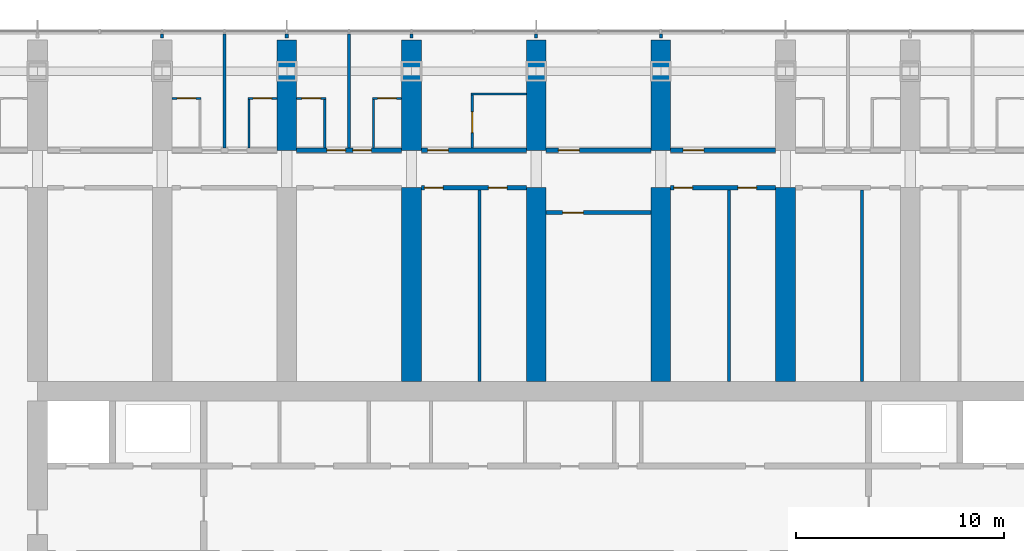
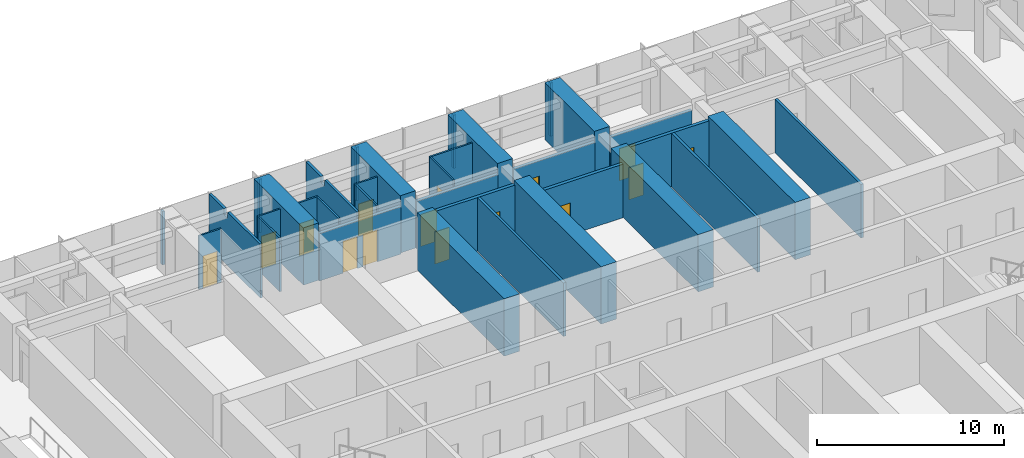
# One storey, part 14 of 21: 34 walls, 15 doors, 15 openings.
"""IFC4 building model written with IfcOpenShell, lengths in metres."""

import ifcopenshell
import ifcopenshell.guid

model = None  # the IFC model being written
_history = None  # IfcOwnerHistory: only IFC2X3 demands one
_inside = {}  # id of a spatial element -> (the spatial element, [elements in it])
_under = {}  # id of a project, library or spatial element -> (it, [spatial elements below it])
_declared = {}  # id of a project -> (the project, [libraries it declares])
_typed = {}  # id of a type object -> (the type object, [elements of that type])
_made_of = {}  # id of a material, layer set ... -> (it, [elements and type objects made of it])


def new_model(schema):
    """Start an empty IFC model of exactly this schema.

    Asked for "IFC4X3", IfcOpenShell would pick the latest addendum, in which some entities
    have other attributes; the version numbers below select the first issue.
    IFC2X3 requires an IfcOwnerHistory on every rooted entity: one is made here for all.
    """
    global model, _history
    if schema == "IFC4X3":
        model = ifcopenshell.file(schema_version=(4, 3, 0, 0))
    else:
        model = ifcopenshell.file(schema=schema)
    _inside.clear()
    _under.clear()
    _declared.clear()
    _typed.clear()
    _made_of.clear()
    _history = None
    if model.schema == "IFC2X3":
        org = make("IfcOrganization", Name="unknown")
        user = make(
            "IfcPersonAndOrganization",
            ThePerson=make("IfcPerson", FamilyName="unknown"),
            TheOrganization=org,
        )
        app = make(
            "IfcApplication",
            ApplicationDeveloper=org,
            Version="unknown",
            ApplicationFullName="unknown",
            ApplicationIdentifier="unknown",
        )
        _history = make(
            "IfcOwnerHistory",
            OwningUser=user,
            OwningApplication=app,
            ChangeAction="ADDED",
            CreationDate=0,
        )
    return model


def make(cls, **values):
    """One entity of the class cls with the attributes given. An attribute that is None is left unset."""
    return model.create_entity(
        cls, **{name: value for name, value in values.items() if value is not None}
    )


def rooted(cls, **values):
    """An entity with a GlobalId (a new one), such as an element, a storey or a relation."""
    return make(cls, GlobalId=ifcopenshell.guid.new(), OwnerHistory=_history, **values)


def si_unit(unit_type, name, prefix=None):
    """IfcSIUnit, for example si_unit("LENGTHUNIT", "METRE", prefix="MILLI")."""
    return make("IfcSIUnit", UnitType=unit_type, Prefix=prefix, Name=name)


def assignment(units):
    """IfcUnitAssignment: the units of a project."""
    return None if units is None else make("IfcUnitAssignment", Units=units)


def point(xyz):
    """IfcCartesianPoint."""
    return None if xyz is None else make("IfcCartesianPoint", Coordinates=xyz)


def direction(xyz):
    """IfcDirection."""
    return None if xyz is None else make("IfcDirection", DirectionRatios=xyz)


def frame(location, z_axis=None, x_axis=None):
    """IfcAxis2Placement3D, a coordinate frame: its origin and axes. An axis left out is left unset."""
    return make(
        "IfcAxis2Placement3D",
        Location=point(location),
        Axis=direction(z_axis),
        RefDirection=direction(x_axis),
    )


def frame_2d(location, x_axis=None):
    """IfcAxis2Placement2D, a coordinate frame in the plane: its origin and x axis."""
    return make(
        "IfcAxis2Placement2D", Location=point(location), RefDirection=direction(x_axis)
    )


def origin():
    """The frame at (0, 0, 0) with its axes left unset."""
    return frame((0.0, 0.0, 0.0))


def place(relative_to, where):
    """IfcLocalPlacement: puts the frame where relative to a parent placement (None: the world)."""
    return make(
        "IfcLocalPlacement", PlacementRelTo=relative_to, RelativePlacement=where
    )


def context(
    kind, dimensions, precision=None, world=None, true_north=None, identifier=None
):
    """IfcGeometricRepresentationContext, for example the 3D "Model" context."""
    return make(
        "IfcGeometricRepresentationContext",
        ContextIdentifier=identifier,
        ContextType=kind,
        CoordinateSpaceDimension=dimensions,
        Precision=precision,
        WorldCoordinateSystem=world,
        TrueNorth=true_north,
    )


def subcontext(parent, identifier, kind, view, scale=None):
    """IfcGeometricRepresentationSubContext, for example "Body" below "Model"."""
    return make(
        "IfcGeometricRepresentationSubContext",
        ContextIdentifier=identifier,
        ContextType=kind,
        ParentContext=parent,
        TargetScale=scale,
        TargetView=view,
    )


def project(units=None, contexts=None):
    """IfcProject with its units and contexts."""
    return rooted(
        "IfcProject",
        Name="project",
        RepresentationContexts=contexts,
        UnitsInContext=assignment(units),
    )


def spatial(cls, under=None, at=None, **own):
    """A site, building, storey or space (cls), placed at a placement, below another one or the project."""
    s = rooted(cls, ObjectPlacement=at, **own)
    if under is not None:
        _under.setdefault(under.id(), (under, []))[1].append(s)
    return s


def polyline(points):
    """IfcPolyline through the points."""
    return make("IfcPolyline", Points=[point(p) for p in points])


def profile(cls, at=None, kind="AREA", **sizes):
    """A parametric profile (cls). Its sizes go by their IFC names, for example OverallWidth=200.0."""
    return make(cls, ProfileType=kind, Position=at, **sizes)


def rectangle(**sizes):
    """IfcRectangleProfileDef."""
    return profile("IfcRectangleProfileDef", **sizes)


def outline(outer, holes=None, kind="AREA"):
    """IfcArbitraryClosedProfileDef: a profile drawn as a closed curve; with holes, ...WithVoids."""
    if holes is None:
        return make("IfcArbitraryClosedProfileDef", ProfileType=kind, OuterCurve=outer)
    return make(
        "IfcArbitraryProfileDefWithVoids",
        ProfileType=kind,
        OuterCurve=outer,
        InnerCurves=holes,
    )


def extrude(swept, where, along, depth):
    """IfcExtrudedAreaSolid: the profile swept, set in the frame where, extruded along a direction by depth."""
    return make(
        "IfcExtrudedAreaSolid",
        SweptArea=swept,
        Position=where,
        ExtrudedDirection=direction(along),
        Depth=depth,
    )


def shape(context_of_items, identifier, shape_type, items):
    """IfcShapeRepresentation: the items that make up one representation, for example the "Body"."""
    return make(
        "IfcShapeRepresentation",
        ContextOfItems=context_of_items,
        RepresentationIdentifier=identifier,
        RepresentationType=shape_type,
        Items=items,
    )


def material(Name=None, Category=None):
    """IfcMaterial."""
    return make("IfcMaterial", Name=Name, Category=Category)


def layer(
    of_material, thickness, ventilated=None, Name=None, Category=None, Priority=None
):
    """IfcMaterialLayer: one layer of a wall or slab, of a material (None: an air gap)."""
    return make(
        "IfcMaterialLayer",
        Material=of_material,
        LayerThickness=thickness,
        IsVentilated=ventilated,
        Name=Name,
        Category=Category,
        Priority=Priority,
    )


def layer_set(layers, Name=None):
    """IfcMaterialLayerSet."""
    return make("IfcMaterialLayerSet", MaterialLayers=layers, LayerSetName=Name)


def made_of(thing, what):
    """Note that an element or type object is made of a material, layer set ...; save() writes the relation."""
    if what is not None:
        _made_of.setdefault(what.id(), (what, []))[1].append(thing)
    return thing


def type_object(cls, material=None, **own):
    """A type object (cls), such as IfcWallType, which elements share."""
    return made_of(rooted(cls, **own), material)


def element(
    cls,
    number,
    at=None,
    inside=None,
    cuts=None,
    type_object=None,
    material=None,
    context=None,
    identifier="Body",
    shape_type=None,
    held_by="IfcProductDefinitionShape",
    body=None,
    shapes=None,
    **own,
):
    """One element of the class cls, such as IfcWall. Its Tag is "e" and its number.

    at: its placement. inside: the storey or other place that contains it. cuts: it is an
    opening in that element (IfcRelVoidsElement). A single representation is given by context,
    identifier, shape_type and body (its items); several are given by shapes. held_by: the class
    of the entity that holds the representations. save() writes the other relations.
    """
    e = rooted(cls, Tag="e%d" % number, ObjectPlacement=at, **own)
    if body is not None:
        shapes = [shape(context, identifier, shape_type, body)]
    if shapes is not None:
        e.Representation = make(held_by, Representations=shapes)
    if inside is not None:
        _inside.setdefault(inside.id(), (inside, []))[1].append(e)
    if cuts is not None:
        rooted(
            "IfcRelVoidsElement", RelatingBuildingElement=cuts, RelatedOpeningElement=e
        )
    if type_object is not None:
        _typed.setdefault(type_object.id(), (type_object, []))[1].append(e)
    return made_of(e, material)


def fill(opening, filler):
    """IfcRelFillsElement: the door or window that sits in an opening."""
    return rooted(
        "IfcRelFillsElement",
        RelatingOpeningElement=opening,
        RelatedBuildingElement=filler,
    )


def aggregate(whole, parts):
    """IfcRelAggregates: a whole, such as a stair, and the parts it consists of."""
    return rooted("IfcRelAggregates", RelatingObject=whole, RelatedObjects=parts)


def save(model, path):
    """Write the relations noted so far, then the file.

    IfcRelAggregates (storeys below a building ...), IfcRelContainedInSpatialStructure (elements
    in a storey), IfcRelDefinesByType, IfcRelAssociatesMaterial and IfcRelDeclares: one each for
    every whole, place, type object, material and project.
    """
    for whole, parts in _under.values():
        aggregate(whole, parts)
    for where, things in _inside.values():
        rooted(
            "IfcRelContainedInSpatialStructure",
            RelatedElements=things,
            RelatingStructure=where,
        )
    for kind, things in _typed.values():
        rooted("IfcRelDefinesByType", RelatedObjects=things, RelatingType=kind)
    for what, things in _made_of.values():
        rooted("IfcRelAssociatesMaterial", RelatedObjects=things, RelatingMaterial=what)
    for by, libraries in _declared.values():
        rooted("IfcRelDeclares", RelatingContext=by, RelatedDefinitions=libraries)
    model.write(path)


model = new_model("IFC4")

# Units and contexts
model_context = context("Model", 3, precision=1e-05, world=origin(), true_north=direction((0.0, 1.0)))
body_context = subcontext(model_context, "Body", "Model", "MODEL_VIEW")
ifc_project = project(units=[si_unit("LENGTHUNIT", "METRE"), si_unit("AREAUNIT", "SQUARE_METRE"), si_unit("VOLUMEUNIT", "CUBIC_METRE"), si_unit("PLANEANGLEUNIT", "RADIAN"), si_unit("MASSUNIT", "GRAM", prefix="KILO")], contexts=[model_context])

# Site, building, storey
site_placement = place(None, origin())
site = spatial("IfcSite", under=ifc_project, at=site_placement, CompositionType="ELEMENT")
building_placement = place(site_placement, origin())
building = spatial("IfcBuilding", under=site, at=building_placement, Name="Orbita Commons", CompositionType="ELEMENT")
storey_placement = place(building_placement, frame((0.0, 0.0, 88.14990234375)))
storey = spatial("IfcBuildingStorey", under=building, at=storey_placement, Name="L21", CompositionType="ELEMENT", Elevation=88.14990234375)

# Wall, openings, doors
ifc_material_1 = material(Name="Concrete blockwork", Category="masonry")
ifc_layer_1 = layer(ifc_material_1, 0.199951171875)
ifc_layer_set_1 = layer_set([ifc_layer_1], Name="Concrete blockwork")
wall_type_1 = type_object("IfcWallType", Name="Corridor wall 200 blockwork", PredefinedType="SOLIDWALL", material=ifc_layer_set_1)
wall_1_placement = place(storey_placement, frame((30.47509765625, 49.800048828125, 0.0), z_axis=(0.0, 0.0, 1.0), x_axis=(1.0, 0.0, 0.0)))
wall_1 = element("IfcWall", 1, at=wall_1_placement, inside=storey, type_object=wall_type_1, Name="Corridor wall 200 blockwork L21", PredefinedType="SOLIDWALL", context=body_context, shape_type="SweptSolid", body=[
    extrude(outline(polyline([(0.0, 0.0), (5.0498046875, 0.0), (5.050048828125, 3.10009765625), (0.0, 3.10009765625), (0.0, 0.0)])), frame((0.0, 0.10009765625, 0.0), z_axis=(0.0, -1.0, 0.0), x_axis=(1.0, 0.0, 0.0)), (0.0, 0.0, 1.0), 0.199951171875),
])
opening_1_placement = place(wall_1_placement, frame((1.449951171875, 0.0, 0.0)))
opening_1 = element("IfcOpeningElement", 2, at=opening_1_placement, cuts=wall_1, Name="Opening D11", PredefinedType="OPENING", context=body_context, shape_type="SweptSolid", body=[
    extrude(rectangle(XDim=0.89990234375, YDim=2.10009765625, at=frame_2d((0.449951171875, 1.050048828125))), frame((0.0, 0.10986328125, 0.0), z_axis=(0.0, -1.0, 0.0), x_axis=(1.0, 0.0, 0.0)), (0.0, 0.0, 1.0), 0.219970703125),
])
opening_2_placement = place(wall_1_placement, frame((2.699951171875, 0.0, 0.0)))
opening_2 = element("IfcOpeningElement", 3, at=opening_2_placement, cuts=wall_1, Name="Opening D11", PredefinedType="OPENING", context=body_context, shape_type="SweptSolid", body=[
    extrude(rectangle(XDim=0.89990234375, YDim=2.10009765625, at=frame_2d((0.449951171875, 1.050048828125))), frame((0.0, 0.10986328125, 0.0), z_axis=(0.0, -1.0, 0.0), x_axis=(1.0, 0.0, 0.0)), (0.0, 0.0, 1.0), 0.219970703125),
])
ifc_material_2 = material(Name="Steel-faced fire door leaf", Category="steel")
door_type_1 = type_object("IfcDoorType", Name="Corridor door 20 min 900x2100", OperationType="SINGLE_SWING_LEFT", PredefinedType="DOOR", material=ifc_material_2)
door_1_placement = place(opening_1_placement, origin())
door_1 = element("IfcDoor", 4, at=door_1_placement, inside=storey, type_object=door_type_1, Name="Cluster bedroom L21-N06 door", OperationType="SINGLE_SWING_LEFT", OverallHeight=2.10009765625, OverallWidth=0.89990234375, PredefinedType="DOOR", context=body_context, shape_type="SweptSolid", body=[
    extrude(rectangle(XDim=0.89990234375, YDim=2.10009765625, at=frame_2d((0.449951171875, 1.050048828125))), frame((0.0, 0.02490234375, 0.0), z_axis=(0.0, -1.0, 0.0), x_axis=(1.0, 0.0, 0.0)), (0.0, 0.0, 1.0), 0.050048828125),
])
fill(opening_1, door_1)
door_2_placement = place(opening_2_placement, origin())
door_2 = element("IfcDoor", 5, at=door_2_placement, inside=storey, type_object=door_type_1, Name="Cluster bedroom L21-N07 door", OperationType="SINGLE_SWING_LEFT", OverallHeight=2.10009765625, OverallWidth=0.89990234375, PredefinedType="DOOR", context=body_context, shape_type="SweptSolid", body=[
    extrude(rectangle(XDim=0.89990234375, YDim=2.10009765625, at=frame_2d((0.449951171875, 1.050048828125))), frame((0.0, 0.02490234375, 0.0), z_axis=(0.0, -1.0, 0.0), x_axis=(1.0, 0.0, 0.0)), (0.0, 0.0, 1.0), 0.050048828125),
])
fill(opening_2, door_2)

# Wall, opening, door
wall_2_placement = place(storey_placement, frame((36.47509765625, 49.800048828125, 0.0), z_axis=(0.0, 0.0, 1.0), x_axis=(1.0, 0.0, 0.0)))
wall_2 = element("IfcWall", 6, at=wall_2_placement, inside=storey, type_object=wall_type_1, Name="Corridor wall 200 blockwork L21", PredefinedType="SOLIDWALL", context=body_context, shape_type="SweptSolid", body=[
    extrude(outline(polyline([(0.0, 0.0), (5.0498046875, 0.0), (5.050048828125, 3.10009765625), (0.0, 3.10009765625), (0.0, 0.0)])), frame((0.0, 0.10009765625, 0.0), z_axis=(0.0, -1.0, 0.0), x_axis=(1.0, 0.0, 0.0)), (0.0, 0.0, 1.0), 0.199951171875),
])
opening_3_placement = place(wall_2_placement, frame((0.300048828125, 0.0, 0.0)))
opening_3 = element("IfcOpeningElement", 7, at=opening_3_placement, cuts=wall_2, Name="Opening D06", PredefinedType="OPENING", context=body_context, shape_type="SweptSolid", body=[
    extrude(rectangle(XDim=1.0, YDim=2.10009765625, at=frame_2d((0.5, 1.050048828125))), frame((0.0, 0.10986328125, 0.0), z_axis=(0.0, -1.0, 0.0), x_axis=(1.0, 0.0, 0.0)), (0.0, 0.0, 1.0), 0.219970703125),
])
ifc_material_3 = material(Name="Steel-faced fire door leaf", Category="steel")
door_type_2 = type_object("IfcDoorType", Name="Corridor door 20 min 1000x2100", OperationType="SINGLE_SWING_LEFT", PredefinedType="DOOR", material=ifc_material_3)
door_3_placement = place(opening_3_placement, origin())
door_3 = element("IfcDoor", 8, at=door_3_placement, inside=storey, type_object=door_type_2, Name="Accessible bedroom L21-N08 door", OperationType="SINGLE_SWING_LEFT", OverallHeight=2.10009765625, OverallWidth=1.0, PredefinedType="DOOR", context=body_context, shape_type="SweptSolid", body=[
    extrude(rectangle(XDim=1.0, YDim=2.10009765625, at=frame_2d((0.5, 1.050048828125))), frame((0.0, 0.02490234375, 0.0), z_axis=(0.0, -1.0, 0.0), x_axis=(1.0, 0.0, 0.0)), (0.0, 0.0, 1.0), 0.050048828125),
])
fill(opening_3, door_3)

wall_3_placement = place(storey_placement, frame((42.47509765625, 49.800048828125, 0.0), z_axis=(0.0, 0.0, 1.0), x_axis=(1.0, 0.0, 0.0)))
wall_3 = element("IfcWall", 9, at=wall_3_placement, inside=storey, type_object=wall_type_1, Name="Corridor wall 200 blockwork L21", PredefinedType="SOLIDWALL", context=body_context, shape_type="SweptSolid", body=[
    extrude(outline(polyline([(0.0, 0.0), (5.0498046875, 0.0), (5.050048828125, 3.10009765625), (0.0, 3.10009765625), (0.0, 0.0)])), frame((0.0, 0.10009765625, 0.0), z_axis=(0.0, -1.0, 0.0), x_axis=(1.0, 0.0, 0.0)), (0.0, 0.0, 1.0), 0.199951171875),
])
opening_4_placement = place(wall_3_placement, frame((0.60009765625, 0.0, 0.0)))
opening_4 = element("IfcOpeningElement", 10, at=opening_4_placement, cuts=wall_3, Name="Opening D06", PredefinedType="OPENING", context=body_context, shape_type="SweptSolid", body=[
    extrude(rectangle(XDim=1.0, YDim=2.10009765625, at=frame_2d((0.5, 1.050048828125))), frame((0.0, 0.10986328125, 0.0), z_axis=(0.0, -1.0, 0.0), x_axis=(1.0, 0.0, 0.0)), (0.0, 0.0, 1.0), 0.219970703125),
])
door_4_placement = place(opening_4_placement, origin())
door_4 = element("IfcDoor", 11, at=door_4_placement, inside=storey, type_object=door_type_2, Name="Sea-view lounge L21-N10 door", OperationType="SINGLE_SWING_LEFT", OverallHeight=2.10009765625, OverallWidth=1.0, PredefinedType="DOOR", context=body_context, shape_type="SweptSolid", body=[
    extrude(rectangle(XDim=1.0, YDim=2.10009765625, at=frame_2d((0.5, 1.050048828125))), frame((0.0, 0.02490234375, 0.0), z_axis=(0.0, -1.0, 0.0), x_axis=(1.0, 0.0, 0.0)), (0.0, 0.0, 1.0), 0.050048828125),
])
fill(opening_4, door_4)

wall_4_placement = place(storey_placement, frame((48.47509765625, 49.800048828125, 0.0), z_axis=(0.0, 0.0, 1.0), x_axis=(1.0, 0.0, 0.0)))
wall_4 = element("IfcWall", 12, at=wall_4_placement, inside=storey, type_object=wall_type_1, Name="Corridor wall 200 blockwork L21", PredefinedType="SOLIDWALL", context=body_context, shape_type="SweptSolid", body=[
    extrude(outline(polyline([(0.0, 0.0), (5.0498046875, 0.0), (5.050048828125, 3.10009765625), (0.0, 3.10009765625), (0.0, 0.0)])), frame((0.0, 0.10009765625, 0.0), z_axis=(0.0, -1.0, 0.0), x_axis=(1.0, 0.0, 0.0)), (0.0, 0.0, 1.0), 0.199951171875),
])
opening_5_placement = place(wall_4_placement, frame((0.60009765625, 0.0, 0.0)))
opening_5 = element("IfcOpeningElement", 13, at=opening_5_placement, cuts=wall_4, Name="Opening D06", PredefinedType="OPENING", context=body_context, shape_type="SweptSolid", body=[
    extrude(rectangle(XDim=1.0, YDim=2.10009765625, at=frame_2d((0.5, 1.050048828125))), frame((0.0, 0.10986328125, 0.0), z_axis=(0.0, -1.0, 0.0), x_axis=(1.0, 0.0, 0.0)), (0.0, 0.0, 1.0), 0.219970703125),
])
door_5_placement = place(opening_5_placement, origin())
door_5 = element("IfcDoor", 14, at=door_5_placement, inside=storey, type_object=door_type_2, Name="Cluster kitchen-diner L21-N12 door", OperationType="SINGLE_SWING_LEFT", OverallHeight=2.10009765625, OverallWidth=1.0, PredefinedType="DOOR", context=body_context, shape_type="SweptSolid", body=[
    extrude(rectangle(XDim=1.0, YDim=2.10009765625, at=frame_2d((0.5, 1.050048828125))), frame((0.0, 0.02490234375, 0.0), z_axis=(0.0, -1.0, 0.0), x_axis=(1.0, 0.0, 0.0)), (0.0, 0.0, 1.0), 0.050048828125),
])
fill(opening_5, door_5)

# Wall, openings, doors
ifc_material_4 = material(Name="Hollow concrete block 200", Category="concrete")
ifc_layer_2 = layer(ifc_material_4, 0.199951171875)
ifc_layer_set_2 = layer_set([ifc_layer_2], Name="Hollow concrete block 200")
wall_type_2 = type_object("IfcWallType", Name="Corridor wall 200 hollow concrete block", PredefinedType="SOLIDWALL", material=ifc_layer_set_2)
wall_5_placement = place(storey_placement, frame((36.47509765625, 48.0, 0.0), z_axis=(0.0, 0.0, 1.0), x_axis=(1.0, 0.0, 0.0)))
wall_5 = element("IfcWall", 15, at=wall_5_placement, inside=storey, type_object=wall_type_2, Name="Corridor wall 200 hollow concrete block L21", PredefinedType="SOLIDWALL", context=body_context, shape_type="SweptSolid", body=[
    extrude(rectangle(XDim=5.0498046875, YDim=0.199951171875, at=frame_2d((2.52490234375, 0.0))), origin(), (0.0, 0.0, 1.0), 3.5),
])
opening_6_placement = place(wall_5_placement, frame((0.14990234375, 0.0, 0.0)))
opening_6 = element("IfcOpeningElement", 16, at=opening_6_placement, cuts=wall_5, Name="Opening D11", PredefinedType="OPENING", context=body_context, shape_type="SweptSolid", body=[
    extrude(rectangle(XDim=0.89990234375, YDim=2.10009765625, at=frame_2d((0.449951171875, 1.050048828125))), frame((0.0, 0.10986328125, 0.0), z_axis=(0.0, -1.0, 0.0), x_axis=(1.0, 0.0, 0.0)), (0.0, 0.0, 1.0), 0.219970703125),
])
opening_7_placement = place(wall_5_placement, frame((3.22509765625, 0.0, 0.0)))
opening_7 = element("IfcOpeningElement", 17, at=opening_7_placement, cuts=wall_5, Name="Opening D11", PredefinedType="OPENING", context=body_context, shape_type="SweptSolid", body=[
    extrude(rectangle(XDim=0.89990234375, YDim=2.10009765625, at=frame_2d((0.449951171875, 1.050048828125))), frame((0.0, 0.10986328125, 0.0), z_axis=(0.0, -1.0, 0.0), x_axis=(1.0, 0.0, 0.0)), (0.0, 0.0, 1.0), 0.219970703125),
])
door_6_placement = place(opening_6_placement, origin())
door_6 = element("IfcDoor", 18, at=door_6_placement, inside=storey, type_object=door_type_1, Name="Electrical and data room L21-BDN36 door", OperationType="SINGLE_SWING_LEFT", OverallHeight=2.10009765625, OverallWidth=0.89990234375, PredefinedType="DOOR", context=body_context, shape_type="SweptSolid", body=[
    extrude(rectangle(XDim=0.89990234375, YDim=2.10009765625, at=frame_2d((0.449951171875, 1.050048828125))), frame((0.0, 0.02490234375, 0.0), z_axis=(0.0, -1.0, 0.0), x_axis=(1.0, 0.0, 0.0)), (0.0, 0.0, 1.0), 0.050048828125),
])
fill(opening_6, door_6)
door_7_placement = place(opening_7_placement, origin())
door_7 = element("IfcDoor", 19, at=door_7_placement, inside=storey, type_object=door_type_1, Name="Battery and UPS room L21-BDN36n door", OperationType="SINGLE_SWING_LEFT", OverallHeight=2.10009765625, OverallWidth=0.89990234375, PredefinedType="DOOR", context=body_context, shape_type="SweptSolid", body=[
    extrude(rectangle(XDim=0.89990234375, YDim=2.10009765625, at=frame_2d((0.449951171875, 1.050048828125))), frame((0.0, 0.02490234375, 0.0), z_axis=(0.0, -1.0, 0.0), x_axis=(1.0, 0.0, 0.0)), (0.0, 0.0, 1.0), 0.050048828125),
])
fill(opening_7, door_7)

wall_6_placement = place(storey_placement, frame((48.47509765625, 48.0, 0.0), z_axis=(0.0, 0.0, 1.0), x_axis=(1.0, 0.0, 0.0)))
wall_6 = element("IfcWall", 20, at=wall_6_placement, inside=storey, type_object=wall_type_2, Name="Corridor wall 200 hollow concrete block L21", PredefinedType="SOLIDWALL", context=body_context, shape_type="SweptSolid", body=[
    extrude(rectangle(XDim=5.0498046875, YDim=0.199951171875, at=frame_2d((2.52490234375, 0.0))), origin(), (0.0, 0.0, 1.0), 3.5),
])
opening_8_placement = place(wall_6_placement, frame((0.14990234375, 0.0, 0.0)))
opening_8 = element("IfcOpeningElement", 21, at=opening_8_placement, cuts=wall_6, Name="Opening D11", PredefinedType="OPENING", context=body_context, shape_type="SweptSolid", body=[
    extrude(rectangle(XDim=0.89990234375, YDim=2.10009765625, at=frame_2d((0.449951171875, 1.050048828125))), frame((0.0, 0.10986328125, 0.0), z_axis=(0.0, -1.0, 0.0), x_axis=(1.0, 0.0, 0.0)), (0.0, 0.0, 1.0), 0.219970703125),
])
opening_9_placement = place(wall_6_placement, frame((3.235107421875, 0.0, 0.0)))
opening_9 = element("IfcOpeningElement", 22, at=opening_9_placement, cuts=wall_6, Name="Opening D11", PredefinedType="OPENING", context=body_context, shape_type="SweptSolid", body=[
    extrude(rectangle(XDim=0.89990234375, YDim=2.10009765625, at=frame_2d((0.449951171875, 1.050048828125))), frame((0.0, 0.10986328125, 0.0), z_axis=(0.0, -1.0, 0.0), x_axis=(1.0, 0.0, 0.0)), (0.0, 0.0, 1.0), 0.219970703125),
])
door_8_placement = place(opening_8_placement, origin())
door_8 = element("IfcDoor", 23, at=door_8_placement, inside=storey, type_object=door_type_1, Name="Ventilation plant room north L21-BDN48 door", OperationType="SINGLE_SWING_LEFT", OverallHeight=2.10009765625, OverallWidth=0.89990234375, PredefinedType="DOOR", context=body_context, shape_type="SweptSolid", body=[
    extrude(rectangle(XDim=0.89990234375, YDim=2.10009765625, at=frame_2d((0.449951171875, 1.050048828125))), frame((0.0, 0.02490234375, 0.0), z_axis=(0.0, -1.0, 0.0), x_axis=(1.0, 0.0, 0.0)), (0.0, 0.0, 1.0), 0.050048828125),
])
fill(opening_8, door_8)
door_9_placement = place(opening_9_placement, origin())
door_9 = element("IfcDoor", 24, at=door_9_placement, inside=storey, type_object=door_type_1, Name="Sprinkler valve room L21-BDN48n door", OperationType="SINGLE_SWING_LEFT", OverallHeight=2.10009765625, OverallWidth=0.89990234375, PredefinedType="DOOR", context=body_context, shape_type="SweptSolid", body=[
    extrude(rectangle(XDim=0.89990234375, YDim=2.10009765625, at=frame_2d((0.449951171875, 1.050048828125))), frame((0.0, 0.02490234375, 0.0), z_axis=(0.0, -1.0, 0.0), x_axis=(1.0, 0.0, 0.0)), (0.0, 0.0, 1.0), 0.050048828125),
])
fill(opening_9, door_9)

# Wall, opening, door
wall_7_placement = place(storey_placement, frame((42.47509765625, 46.800048828125, 0.0), z_axis=(0.0, 0.0, 1.0), x_axis=(1.0, 0.0, 0.0)))
wall_7 = element("IfcWall", 25, at=wall_7_placement, inside=storey, type_object=wall_type_2, Name="Corridor wall 200 hollow concrete block L21", PredefinedType="SOLIDWALL", context=body_context, shape_type="SweptSolid", body=[
    extrude(rectangle(XDim=5.0498046875, YDim=0.199951171875, at=frame_2d((2.52490234375, 0.0))), origin(), (0.0, 0.0, 1.0), 3.5),
])
opening_10_placement = place(wall_7_placement, frame((0.800048828125, 0.0, 0.0)))
opening_10 = element("IfcOpeningElement", 26, at=opening_10_placement, cuts=wall_7, Name="Opening D06", PredefinedType="OPENING", context=body_context, shape_type="SweptSolid", body=[
    extrude(rectangle(XDim=1.0, YDim=2.10009765625, at=frame_2d((0.5, 1.050048828125))), frame((0.0, 0.10986328125, 0.0), z_axis=(0.0, -1.0, 0.0), x_axis=(1.0, 0.0, 0.0)), (0.0, 0.0, 1.0), 0.219970703125),
])
door_10_placement = place(opening_10_placement, origin())
door_10 = element("IfcDoor", 27, at=door_10_placement, inside=storey, type_object=door_type_2, Name="Store L21-BDN42 door", OperationType="SINGLE_SWING_LEFT", OverallHeight=2.10009765625, OverallWidth=1.0, PredefinedType="DOOR", context=body_context, shape_type="SweptSolid", body=[
    extrude(rectangle(XDim=1.0, YDim=2.10009765625, at=frame_2d((0.5, 1.050048828125))), frame((0.0, 0.02490234375, 0.0), z_axis=(0.0, -1.0, 0.0), x_axis=(1.0, 0.0, 0.0)), (0.0, 0.0, 1.0), 0.050048828125),
])
fill(opening_10, door_10)

# Walls
ifc_material_5 = material(Name="Concrete C50/60", Category="concrete")
ifc_layer_3 = layer(ifc_material_5, 0.949951171875)
ifc_layer_set_3 = layer_set([ifc_layer_3], Name="Concrete C50/60")
wall_type_3 = type_object("IfcWallType", Name="Cross wall 950 C50/60", PredefinedType="SHEAR", material=ifc_layer_set_3)
for number, where, z_axis, x_axis, name in (
    (28, (30.0, 49.800048828125, 0.0), (0.0, 0.0, 1.0), (0.0, 1.0, 0.0), "Cross wall 6 north outer L21"),
    (29, (36.0, 49.800048828125, 0.0), (0.0, 0.0, 1.0), (0.0, 1.0, 0.0), "Cross wall 7 north outer L21"),
):
    element("IfcWall", number, at=place(storey_placement, frame(where, z_axis=z_axis, x_axis=x_axis)), inside=storey, type_object=wall_type_3, Name=name, PredefinedType="SHEAR", context=body_context, shape_type="SweptSolid", body=[
        extrude(rectangle(XDim=5.300048828125, YDim=0.949951171875, at=frame_2d((2.64990234375, 0.0))), origin(), (0.0, 0.0, 1.0), 3.75),
    ])
wall_8_placement = place(storey_placement, frame((36.0, 38.675048828125, 0.0), z_axis=(0.0, 0.0, 1.0), x_axis=(0.0, 1.0, 0.0)))
element("IfcWall", 30, at=wall_8_placement, inside=storey, type_object=wall_type_3, Name="Cross wall 7 north inner L21", PredefinedType="SHEAR", context=body_context, shape_type="SweptSolid", body=[
    extrude(rectangle(XDim=9.324951171875, YDim=0.949951171875, at=frame_2d((4.66259765625, 0.0))), origin(), (0.0, 0.0, 1.0), 3.75),
])
wall_9_placement = place(storey_placement, frame((42.0, 49.800048828125, 0.0), z_axis=(0.0, 0.0, 1.0), x_axis=(0.0, 1.0, 0.0)))
element("IfcWall", 31, at=wall_9_placement, inside=storey, type_object=wall_type_3, Name="Cross wall 8 north outer L21", PredefinedType="SHEAR", context=body_context, shape_type="SweptSolid", body=[
    extrude(rectangle(XDim=5.300048828125, YDim=0.949951171875, at=frame_2d((2.64990234375, 0.0))), origin(), (0.0, 0.0, 1.0), 3.75),
])
wall_10_placement = place(storey_placement, frame((42.0, 38.675048828125, 0.0), z_axis=(0.0, 0.0, 1.0), x_axis=(0.0, 1.0, 0.0)))
element("IfcWall", 32, at=wall_10_placement, inside=storey, type_object=wall_type_3, Name="Cross wall 8 north inner L21", PredefinedType="SHEAR", context=body_context, shape_type="SweptSolid", body=[
    extrude(rectangle(XDim=9.324951171875, YDim=0.949951171875, at=frame_2d((4.66259765625, 0.0))), origin(), (0.0, 0.0, 1.0), 3.75),
])
wall_11_placement = place(storey_placement, frame((48.0, 49.800048828125, 0.0), z_axis=(0.0, 0.0, 1.0), x_axis=(0.0, 1.0, 0.0)))
element("IfcWall", 33, at=wall_11_placement, inside=storey, type_object=wall_type_3, Name="Cross wall 9 north outer L21", PredefinedType="SHEAR", context=body_context, shape_type="SweptSolid", body=[
    extrude(rectangle(XDim=5.300048828125, YDim=0.949951171875, at=frame_2d((2.64990234375, 0.0))), origin(), (0.0, 0.0, 1.0), 3.75),
])
for number, where, z_axis, x_axis, name in (
    (34, (48.0, 38.675048828125, 0.0), (0.0, 0.0, 1.0), (0.0, 1.0, 0.0), "Cross wall 9 north inner L21"),
    (35, (54.0, 38.675048828125, 0.0), (0.0, 0.0, 1.0), (0.0, 1.0, 0.0), "Cross wall 10 north inner L21"),
):
    element("IfcWall", number, at=place(storey_placement, frame(where, z_axis=z_axis, x_axis=x_axis)), inside=storey, type_object=wall_type_3, Name=name, PredefinedType="SHEAR", context=body_context, shape_type="SweptSolid", body=[
        extrude(rectangle(XDim=9.324951171875, YDim=0.949951171875, at=frame_2d((4.66259765625, 0.0))), origin(), (0.0, 0.0, 1.0), 3.75),
    ])

# Wall, opening, door
ifc_material_6 = material(Name="Moisture-resistant plasterboard on steel studs", Category="steel")
ifc_layer_4 = layer(ifc_material_6, 0.10009765625)
ifc_layer_set_4 = layer_set([ifc_layer_4], Name="Moisture-resistant plasterboard on steel studs")
wall_type_4 = type_object("IfcWallType", Name="En-suite partition 100", PredefinedType="PARTITIONING", material=ifc_layer_set_4)
wall_12_placement = place(storey_placement, frame((24.47509765625, 52.300048828125, 0.0), z_axis=(0.0, 0.0, 1.0), x_axis=(1.0, 0.0, 0.0)))
wall_12 = element("IfcWall", 36, at=wall_12_placement, inside=storey, type_object=wall_type_4, Name="En-suite partition 100 L21", PredefinedType="PARTITIONING", context=body_context, shape_type="SweptSolid", body=[
    extrude(rectangle(XDim=1.39990234375, YDim=0.10009765625, at=frame_2d((0.699951171875, 0.0))), origin(), (0.0, 0.0, 1.0), 3.5),
])
opening_11_placement = place(wall_12_placement, frame((0.25, 0.0, 0.0)))
opening_11 = element("IfcOpeningElement", 37, at=opening_11_placement, cuts=wall_12, Name="Opening D09", PredefinedType="OPENING", context=body_context, shape_type="SweptSolid", body=[
    extrude(rectangle(XDim=0.89990234375, YDim=2.10009765625, at=frame_2d((0.449951171875, 1.050048828125))), frame((0.0, 0.06005859375, 0.0), z_axis=(0.0, -1.0, 0.0), x_axis=(1.0, 0.0, 0.0)), (0.0, 0.0, 1.0), 0.1201171875),
])
ifc_material_7 = material(Name="Laminated timber door leaf", Category="wood")
door_type_3 = type_object("IfcDoorType", Name="En-suite door 900x2100", OperationType="SINGLE_SWING_RIGHT", PredefinedType="DOOR", material=ifc_material_7)
door_11_placement = place(opening_11_placement, origin())
door_11 = element("IfcDoor", 38, at=door_11_placement, inside=storey, type_object=door_type_3, Name="En-suite L21-N04 door", OperationType="SINGLE_SWING_RIGHT", OverallHeight=2.10009765625, OverallWidth=0.89990234375, PredefinedType="DOOR", context=body_context, shape_type="SweptSolid", body=[
    extrude(rectangle(XDim=0.89990234375, YDim=2.10009765625, at=frame_2d((0.449951171875, 1.050048828125))), frame((0.0, 0.02490234375, 0.0), z_axis=(0.0, -1.0, 0.0), x_axis=(1.0, 0.0, 0.0)), (0.0, 0.0, 1.0), 0.050048828125),
])
fill(opening_11, door_11)

wall_13_placement = place(storey_placement, frame((28.125, 52.300048828125, 0.0), z_axis=(0.0, 0.0, 1.0), x_axis=(1.0, 0.0, 0.0)))
wall_13 = element("IfcWall", 39, at=wall_13_placement, inside=storey, type_object=wall_type_4, Name="En-suite partition 100 L21", PredefinedType="PARTITIONING", context=body_context, shape_type="SweptSolid", body=[
    extrude(rectangle(XDim=1.39990234375, YDim=0.10009765625, at=frame_2d((0.699951171875, 0.0))), origin(), (0.0, 0.0, 1.0), 3.5),
])
opening_12_placement = place(wall_13_placement, frame((0.25, 0.0, 0.0)))
opening_12 = element("IfcOpeningElement", 40, at=opening_12_placement, cuts=wall_13, Name="Opening D09", PredefinedType="OPENING", context=body_context, shape_type="SweptSolid", body=[
    extrude(rectangle(XDim=0.89990234375, YDim=2.10009765625, at=frame_2d((0.449951171875, 1.050048828125))), frame((0.0, 0.06005859375, 0.0), z_axis=(0.0, -1.0, 0.0), x_axis=(1.0, 0.0, 0.0)), (0.0, 0.0, 1.0), 0.1201171875),
])
door_12_placement = place(opening_12_placement, origin())
door_12 = element("IfcDoor", 41, at=door_12_placement, inside=storey, type_object=door_type_3, Name="En-suite L21-N05 door", OperationType="SINGLE_SWING_RIGHT", OverallHeight=2.10009765625, OverallWidth=0.89990234375, PredefinedType="DOOR", context=body_context, shape_type="SweptSolid", body=[
    extrude(rectangle(XDim=0.89990234375, YDim=2.10009765625, at=frame_2d((0.449951171875, 1.050048828125))), frame((0.0, 0.02490234375, 0.0), z_axis=(0.0, -1.0, 0.0), x_axis=(1.0, 0.0, 0.0)), (0.0, 0.0, 1.0), 0.050048828125),
])
fill(opening_12, door_12)

# Wall
wall_14_placement = place(storey_placement, frame((28.175048828125, 52.25, 0.0), z_axis=(0.0, 0.0, 1.0), x_axis=(0.0, -1.0, 0.0)))
element("IfcWall", 42, at=wall_14_placement, inside=storey, type_object=wall_type_4, Name="En-suite partition 100 L21", PredefinedType="PARTITIONING", context=body_context, shape_type="SweptSolid", body=[
    extrude(outline(polyline([(0.0, 0.0), (2.35009765625, 0.0), (2.35009765625, 3.10009765625), (2.302001953125, 3.10009765625), (2.300048828125, 3.5), (0.0, 3.5), (0.0, 0.0)])), frame((0.0, 0.050048828125, 0.0), z_axis=(0.0, -1.0, 0.0), x_axis=(1.0, 0.0, 0.0)), (0.0, 0.0, 1.0), 0.10009765625),
])

# Wall, opening, door
wall_15_placement = place(storey_placement, frame((30.47509765625, 52.300048828125, 0.0), z_axis=(0.0, 0.0, 1.0), x_axis=(1.0, 0.0, 0.0)))
wall_15 = element("IfcWall", 43, at=wall_15_placement, inside=storey, type_object=wall_type_4, Name="En-suite partition 100 L21", PredefinedType="PARTITIONING", context=body_context, shape_type="SweptSolid", body=[
    extrude(rectangle(XDim=1.39990234375, YDim=0.10009765625, at=frame_2d((0.699951171875, 0.0))), origin(), (0.0, 0.0, 1.0), 3.5),
])
opening_13_placement = place(wall_15_placement, frame((0.25, 0.0, 0.0)))
opening_13 = element("IfcOpeningElement", 44, at=opening_13_placement, cuts=wall_15, Name="Opening D09", PredefinedType="OPENING", context=body_context, shape_type="SweptSolid", body=[
    extrude(rectangle(XDim=0.89990234375, YDim=2.10009765625, at=frame_2d((0.449951171875, 1.050048828125))), frame((0.0, 0.06005859375, 0.0), z_axis=(0.0, -1.0, 0.0), x_axis=(1.0, 0.0, 0.0)), (0.0, 0.0, 1.0), 0.1201171875),
])
door_13_placement = place(opening_13_placement, origin())
door_13 = element("IfcDoor", 45, at=door_13_placement, inside=storey, type_object=door_type_3, Name="En-suite L21-N06 door", OperationType="SINGLE_SWING_RIGHT", OverallHeight=2.10009765625, OverallWidth=0.89990234375, PredefinedType="DOOR", context=body_context, shape_type="SweptSolid", body=[
    extrude(rectangle(XDim=0.89990234375, YDim=2.10009765625, at=frame_2d((0.449951171875, 1.050048828125))), frame((0.0, 0.02490234375, 0.0), z_axis=(0.0, -1.0, 0.0), x_axis=(1.0, 0.0, 0.0)), (0.0, 0.0, 1.0), 0.050048828125),
])
fill(opening_13, door_13)

# Wall
wall_16_placement = place(storey_placement, frame((31.824951171875, 52.25, 0.0), z_axis=(0.0, 0.0, 1.0), x_axis=(0.0, -1.0, 0.0)))
element("IfcWall", 46, at=wall_16_placement, inside=storey, type_object=wall_type_4, Name="En-suite partition 100 L21", PredefinedType="PARTITIONING", context=body_context, shape_type="SweptSolid", body=[
    extrude(outline(polyline([(0.0, 0.0), (2.35009765625, 0.0), (2.35009765625, 3.10009765625), (2.302001953125, 3.10009765625), (2.300048828125, 3.5), (0.0, 3.5), (0.0, 0.0)])), frame((0.0, 0.050048828125, 0.0), z_axis=(0.0, -1.0, 0.0), x_axis=(1.0, 0.0, 0.0)), (0.0, 0.0, 1.0), 0.10009765625),
])

# Wall, opening, door
wall_17_placement = place(storey_placement, frame((34.125, 52.300048828125, 0.0), z_axis=(0.0, 0.0, 1.0), x_axis=(1.0, 0.0, 0.0)))
wall_17 = element("IfcWall", 47, at=wall_17_placement, inside=storey, type_object=wall_type_4, Name="En-suite partition 100 L21", PredefinedType="PARTITIONING", context=body_context, shape_type="SweptSolid", body=[
    extrude(rectangle(XDim=1.39990234375, YDim=0.10009765625, at=frame_2d((0.699951171875, 0.0))), origin(), (0.0, 0.0, 1.0), 3.5),
])
opening_14_placement = place(wall_17_placement, frame((0.25, 0.0, 0.0)))
opening_14 = element("IfcOpeningElement", 48, at=opening_14_placement, cuts=wall_17, Name="Opening D09", PredefinedType="OPENING", context=body_context, shape_type="SweptSolid", body=[
    extrude(rectangle(XDim=0.89990234375, YDim=2.10009765625, at=frame_2d((0.449951171875, 1.050048828125))), frame((0.0, 0.06005859375, 0.0), z_axis=(0.0, -1.0, 0.0), x_axis=(1.0, 0.0, 0.0)), (0.0, 0.0, 1.0), 0.1201171875),
])
door_14_placement = place(opening_14_placement, origin())
door_14 = element("IfcDoor", 49, at=door_14_placement, inside=storey, type_object=door_type_3, Name="En-suite L21-N07 door", OperationType="SINGLE_SWING_RIGHT", OverallHeight=2.10009765625, OverallWidth=0.89990234375, PredefinedType="DOOR", context=body_context, shape_type="SweptSolid", body=[
    extrude(rectangle(XDim=0.89990234375, YDim=2.10009765625, at=frame_2d((0.449951171875, 1.050048828125))), frame((0.0, 0.02490234375, 0.0), z_axis=(0.0, -1.0, 0.0), x_axis=(1.0, 0.0, 0.0)), (0.0, 0.0, 1.0), 0.050048828125),
])
fill(opening_14, door_14)

# Walls
wall_18_placement = place(storey_placement, frame((34.175048828125, 52.25, 0.0), z_axis=(0.0, 0.0, 1.0), x_axis=(0.0, -1.0, 0.0)))
element("IfcWall", 50, at=wall_18_placement, inside=storey, type_object=wall_type_4, Name="En-suite partition 100 L21", PredefinedType="PARTITIONING", context=body_context, shape_type="SweptSolid", body=[
    extrude(outline(polyline([(0.0, 0.0), (2.35009765625, 0.0), (2.35009765625, 3.10009765625), (2.302001953125, 3.10009765625), (2.300048828125, 3.5), (0.0, 3.5), (0.0, 0.0)])), frame((0.0, 0.050048828125, 0.0), z_axis=(0.0, -1.0, 0.0), x_axis=(1.0, 0.0, 0.0)), (0.0, 0.0, 1.0), 0.10009765625),
])
wall_19_placement = place(storey_placement, frame((38.875, 52.5, 0.0), z_axis=(0.0, 0.0, 1.0), x_axis=(1.0, 0.0, 0.0)))
element("IfcWall", 51, at=wall_19_placement, inside=storey, type_object=wall_type_4, Name="En-suite partition 100 L21", PredefinedType="PARTITIONING", context=body_context, shape_type="SweptSolid", body=[
    extrude(rectangle(XDim=2.64990234375, YDim=0.10009765625, at=frame_2d((1.324951171875, 0.0))), origin(), (0.0, 0.0, 1.0), 3.5),
])

# Wall, opening, door
wall_20_placement = place(storey_placement, frame((38.925048828125, 52.449951171875, 0.0), z_axis=(0.0, 0.0, 1.0), x_axis=(0.0, -1.0, 0.0)))
wall_20 = element("IfcWall", 52, at=wall_20_placement, inside=storey, type_object=wall_type_4, Name="En-suite partition 100 L21", PredefinedType="PARTITIONING", context=body_context, shape_type="SweptSolid", body=[
    extrude(outline(polyline([(0.0, 0.0), (2.550048828125, 0.0), (2.550048828125, 3.10009765625), (2.501953125, 3.10009765625), (2.5, 3.5), (0.0, 3.5), (0.0, 0.0)])), frame((0.0, 0.050048828125, 0.0), z_axis=(0.0, -1.0, 0.0), x_axis=(1.0, 0.0, 0.0)), (0.0, 0.0, 1.0), 0.10009765625),
])
opening_15_placement = place(wall_20_placement, frame((0.800048828125, 0.0, 0.0)))
opening_15 = element("IfcOpeningElement", 53, at=opening_15_placement, cuts=wall_20, Name="Opening D13", PredefinedType="OPENING", context=body_context, shape_type="SweptSolid", body=[
    extrude(rectangle(XDim=1.0, YDim=2.10009765625, at=frame_2d((0.5, 1.050048828125))), frame((0.0, 0.06005859375, 0.0), z_axis=(0.0, -1.0, 0.0), x_axis=(1.0, 0.0, 0.0)), (0.0, 0.0, 1.0), 0.1201171875),
])
ifc_material_8 = material(Name="Laminated timber door leaf", Category="wood")
door_type_4 = type_object("IfcDoorType", Name="En-suite door 1000x2100", OperationType="SINGLE_SWING_RIGHT", PredefinedType="DOOR", material=ifc_material_8)
door_15_placement = place(opening_15_placement, origin())
door_15 = element("IfcDoor", 54, at=door_15_placement, inside=storey, type_object=door_type_4, Name="Accessible shower room L21-N08 door", OperationType="SINGLE_SWING_RIGHT", OverallHeight=2.10009765625, OverallWidth=1.0, PredefinedType="DOOR", context=body_context, shape_type="SweptSolid", body=[
    extrude(rectangle(XDim=1.0, YDim=2.10009765625, at=frame_2d((0.5, 1.050048828125))), frame((0.0, 0.02490234375, 0.0), z_axis=(0.0, -1.0, 0.0), x_axis=(1.0, 0.0, 0.0)), (0.0, 0.0, 1.0), 0.050048828125),
])
fill(opening_15, door_15)

# Walls
ifc_material_9 = material(Name="Gypsum plasterboard on steel studs", Category="steel")
ifc_layer_5 = layer(ifc_material_9, 0.14990234375)
ifc_layer_set_5 = layer_set([ifc_layer_5], Name="Gypsum plasterboard on steel studs")
wall_type_5 = type_object("IfcWallType", Name="Partition 150 plasterboard", PredefinedType="PARTITIONING", material=ifc_layer_set_5)
for number, where, z_axis, x_axis, name in (
    (55, (39.27490234375, 38.675048828125, 0.0), (0.0, 0.0, 1.0), (0.0, 1.0, 0.0), "Partition 150 plasterboard L21"),
    (56, (51.284912109375, 38.675048828125, 0.0), (0.0, 0.0, 1.0), (0.0, 1.0, 0.0), "Partition 150 plasterboard L21"),
    (57, (57.675048828125, 38.675048828125, 0.0), (0.0, 0.0, 1.0), (0.0, 1.0, 0.0), "Partition 150 plasterboard L21"),
):
    element("IfcWall", number, at=place(storey_placement, frame(where, z_axis=z_axis, x_axis=x_axis)), inside=storey, type_object=wall_type_5, Name=name, PredefinedType="PARTITIONING", context=body_context, shape_type="SweptSolid", body=[
        extrude(rectangle(XDim=9.224853515625, YDim=0.14990234375, at=frame_2d((4.6123046875, 0.0))), origin(), (0.0, 0.0, 1.0), 3.5),
    ])
for number, where, z_axis, x_axis, name in (
    (58, (24.0, 55.199951171875, 0.0), (0.0, 0.0, 1.0), (0.0, 1.0, 0.0), "Partition 150 plasterboard L21"),
    (59, (30.0, 55.199951171875, 0.0), (0.0, 0.0, 1.0), (0.0, 1.0, 0.0), "Partition 150 plasterboard L21"),
    (60, (36.0, 55.199951171875, 0.0), (0.0, 0.0, 1.0), (0.0, 1.0, 0.0), "Partition 150 plasterboard L21"),
    (61, (42.0, 55.199951171875, 0.0), (0.0, 0.0, 1.0), (0.0, 1.0, 0.0), "Partition 150 plasterboard L21"),
    (62, (48.0, 55.199951171875, 0.0), (0.0, 0.0, 1.0), (0.0, 1.0, 0.0), "Partition 150 plasterboard L21"),
):
    element("IfcWall", number, at=place(storey_placement, frame(where, z_axis=z_axis, x_axis=x_axis)), inside=storey, type_object=wall_type_5, Name=name, PredefinedType="PARTITIONING", context=body_context, shape_type="SweptSolid", body=[
        extrude(rectangle(XDim=0.18994140625, YDim=0.14990234375, at=frame_2d((0.094970703125, 0.0))), origin(), (0.0, 0.0, 1.0), 3.5),
    ])
ifc_material_10 = material(Name="Gypsum plasterboard on steel studs", Category="steel")
ifc_layer_6 = layer(ifc_material_10, 0.14990234375)
ifc_layer_set_6 = layer_set([ifc_layer_6], Name="Gypsum plasterboard on steel studs")
wall_type_6 = type_object("IfcWallType", Name="Party wall 150 plasterboard", PredefinedType="PARTITIONING", material=ifc_layer_set_6)
for number, where, z_axis, x_axis, name in (
    (63, (27.0, 55.389892578125, 0.0), (0.0, 0.0, 1.0), (0.0, -1.0, 0.0), "Party wall 150 plasterboard L21"),
    (64, (33.0, 55.389892578125, 0.0), (0.0, 0.0, 1.0), (0.0, -1.0, 0.0), "Party wall 150 plasterboard L21"),
):
    element("IfcWall", number, at=place(storey_placement, frame(where, z_axis=z_axis, x_axis=x_axis)), inside=storey, type_object=wall_type_6, Name=name, PredefinedType="PARTITIONING", context=body_context, shape_type="SweptSolid", body=[
        extrude(outline(polyline([(0.0, 0.0), (5.489990234375, 0.0), (5.489990234375, 3.10009765625), (5.44189453125, 3.10009765625), (5.43994140625, 3.5), (1.991943359375, 3.5), (1.989990234375, 3.10009765625), (1.592041015625, 3.10009765625), (1.590087890625, 3.5), (0.0, 3.5), (0.0, 0.0)])), frame((0.0, 0.074951171875, 0.0), z_axis=(0.0, -1.0, 0.0), x_axis=(1.0, 0.0, 0.0)), (0.0, 0.0, 1.0), 0.14990234375),
    ])

save(model, "model.ifc")
